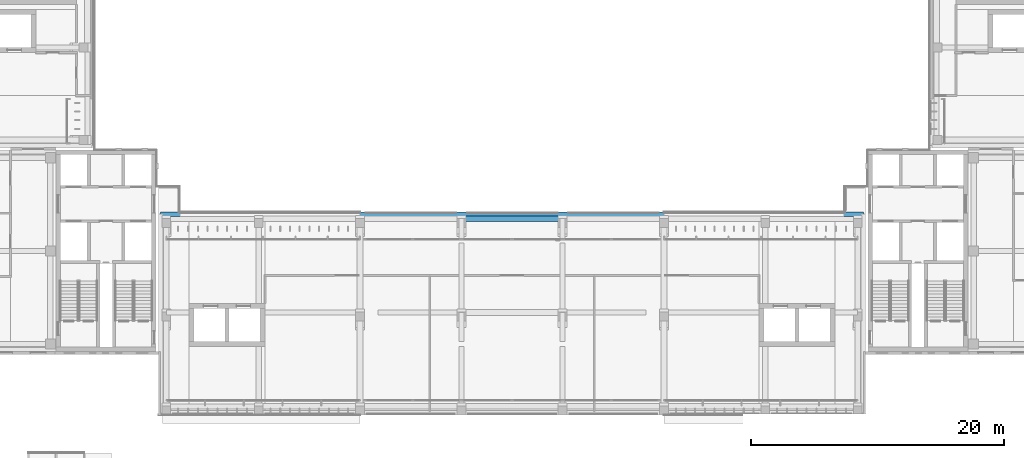
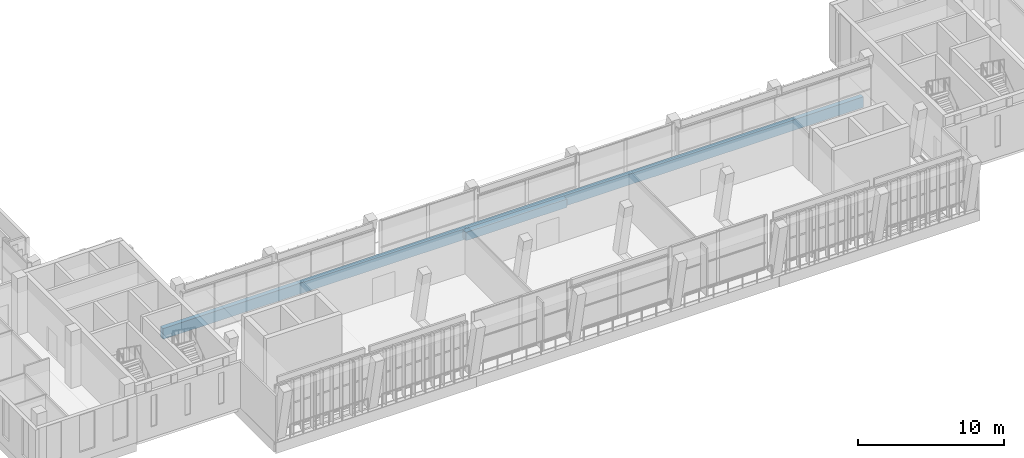
# One storey, part 8 of 73: 2 beams.
"""IFC4 building model written with IfcOpenShell, lengths in metres."""

from ifc_helpers import new_model, si_unit, direction, frame, origin, origin_2d, place, context, subcontext, project, spatial, rectangle, extrude, material, material_profile, profile_set, type_object, element, save


model = new_model("IFC4")

# Units and contexts
model_context = context("Model", 3, precision=1e-05, world=origin(), true_north=direction((0.0, 1.0)))
body_context = subcontext(model_context, "Body", "Model", "MODEL_VIEW")
ifc_project = project(units=[si_unit("LENGTHUNIT", "METRE"), si_unit("AREAUNIT", "SQUARE_METRE"), si_unit("VOLUMEUNIT", "CUBIC_METRE"), si_unit("PLANEANGLEUNIT", "RADIAN"), si_unit("MASSUNIT", "GRAM", prefix="KILO")], contexts=[model_context])

# Site, building, storey
site_placement = place(None, origin())
site = spatial("IfcSite", under=ifc_project, at=site_placement, CompositionType="ELEMENT")
building_placement = place(site_placement, origin())
building = spatial("IfcBuilding", under=site, at=building_placement, Name="Lantern Court Media Centre", CompositionType="ELEMENT")
storey_placement = place(building_placement, frame((0.0, 0.0, 24.0)))
storey = spatial("IfcBuildingStorey", under=building, at=storey_placement, Name="L05", CompositionType="ELEMENT", Elevation=24.0)

# Beams
ifc_material = material(Name="Concrete C35", Category="concrete")
ifc_material_profile_1 = material_profile(ifc_material, rectangle(XDim=0.35009765625, YDim=0.89990234375, at=origin_2d()), Name="RC 350x900")
ifc_profile_set_1 = profile_set([ifc_material_profile_1], Name="Concrete C35")
beam_type_1 = type_object("IfcBeamType", Name="RC BEAM 350x900", PredefinedType="BEAM", material=ifc_profile_set_1)
beam_1_placement = place(storey_placement, frame((24.25, 58.85009765625, -0.449951171875), z_axis=(1.0, 0.0, 0.0), x_axis=(0.0, 1.0, 0.0)))
element("IfcBeam", 1, at=beam_1_placement, inside=storey, type_object=beam_type_1, Name="EB-S-L05-B", PredefinedType="BEAM", context=body_context, shape_type="SweptSolid", body=[
    extrude(rectangle(XDim=0.35009765625, YDim=0.89990234375, at=origin_2d()), origin(), (0.0, 0.0, 1.0), 55.5),
])
ifc_material_profile_2 = material_profile(ifc_material, rectangle(XDim=0.449951171875, YDim=0.699951171875, at=origin_2d()), Name="RC 450x700")
ifc_profile_set_2 = profile_set([ifc_material_profile_2], Name="Concrete C35")
beam_type_2 = type_object("IfcBeamType", Name="RC BEAM 450x700", PredefinedType="BEAM", material=ifc_profile_set_2)
beam_2_placement = place(storey_placement, frame((48.0, 58.472900390625, -0.35009765625), z_axis=(1.0, 0.0, 0.0), x_axis=(0.0, 1.0, 0.0)))
element("IfcBeam", 2, at=beam_2_placement, inside=storey, type_object=beam_type_2, Name="LB-S-L05-2-3", PredefinedType="BEAM", context=body_context, shape_type="SweptSolid", body=[
    extrude(rectangle(XDim=0.449951171875, YDim=0.699951171875, at=origin_2d()), origin(), (0.0, 0.0, 1.0), 8.0),
])

save(model, "model.ifc")
